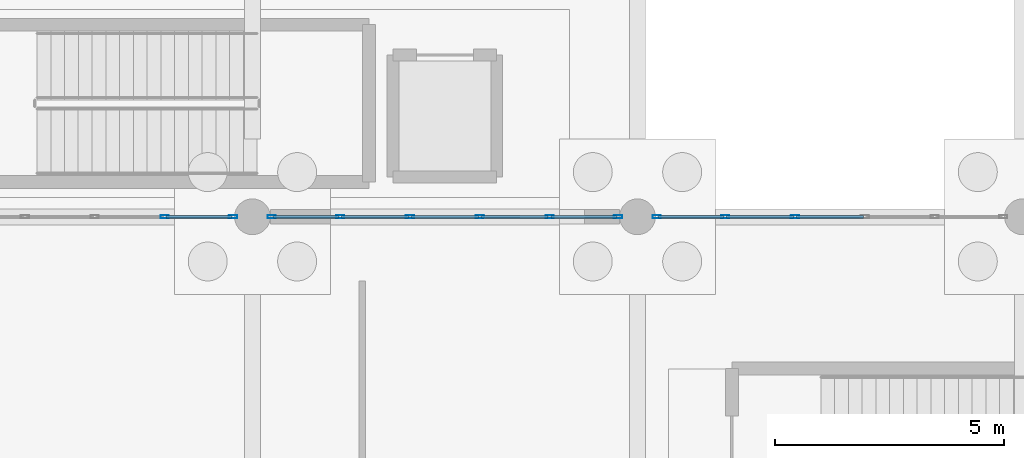
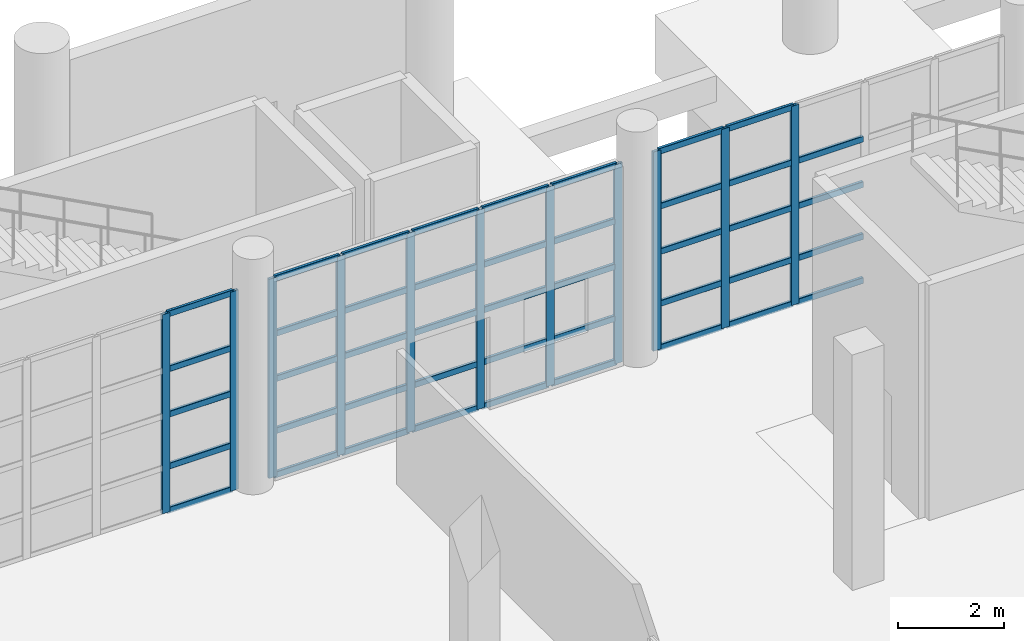
# One storey, part 35 of 83: 55 members, 3 elements without a shape of their own.
"""IFC4 building model written with IfcOpenShell, lengths in metres."""

import ifcopenshell
import ifcopenshell.guid

model = None  # the IFC model being written
_history = None  # IfcOwnerHistory: only IFC2X3 demands one
_inside = {}  # id of a spatial element -> (the spatial element, [elements in it])
_under = {}  # id of a project, library or spatial element -> (it, [spatial elements below it])
_declared = {}  # id of a project -> (the project, [libraries it declares])
_typed = {}  # id of a type object -> (the type object, [elements of that type])
_made_of = {}  # id of a material, layer set ... -> (it, [elements and type objects made of it])


def new_model(schema):
    """Start an empty IFC model of exactly this schema.

    Asked for "IFC4X3", IfcOpenShell would pick the latest addendum, in which some entities
    have other attributes; the version numbers below select the first issue.
    IFC2X3 requires an IfcOwnerHistory on every rooted entity: one is made here for all.
    """
    global model, _history
    if schema == "IFC4X3":
        model = ifcopenshell.file(schema_version=(4, 3, 0, 0))
    else:
        model = ifcopenshell.file(schema=schema)
    _inside.clear()
    _under.clear()
    _declared.clear()
    _typed.clear()
    _made_of.clear()
    _history = None
    if model.schema == "IFC2X3":
        org = make("IfcOrganization", Name="unknown")
        user = make(
            "IfcPersonAndOrganization",
            ThePerson=make("IfcPerson", FamilyName="unknown"),
            TheOrganization=org,
        )
        app = make(
            "IfcApplication",
            ApplicationDeveloper=org,
            Version="unknown",
            ApplicationFullName="unknown",
            ApplicationIdentifier="unknown",
        )
        _history = make(
            "IfcOwnerHistory",
            OwningUser=user,
            OwningApplication=app,
            ChangeAction="ADDED",
            CreationDate=0,
        )
    return model


def make(cls, **values):
    """One entity of the class cls with the attributes given. An attribute that is None is left unset."""
    return model.create_entity(
        cls, **{name: value for name, value in values.items() if value is not None}
    )


def rooted(cls, **values):
    """An entity with a GlobalId (a new one), such as an element, a storey or a relation."""
    return make(cls, GlobalId=ifcopenshell.guid.new(), OwnerHistory=_history, **values)


def si_unit(unit_type, name, prefix=None):
    """IfcSIUnit, for example si_unit("LENGTHUNIT", "METRE", prefix="MILLI")."""
    return make("IfcSIUnit", UnitType=unit_type, Prefix=prefix, Name=name)


def assignment(units):
    """IfcUnitAssignment: the units of a project."""
    return None if units is None else make("IfcUnitAssignment", Units=units)


def point(xyz):
    """IfcCartesianPoint."""
    return None if xyz is None else make("IfcCartesianPoint", Coordinates=xyz)


def direction(xyz):
    """IfcDirection."""
    return None if xyz is None else make("IfcDirection", DirectionRatios=xyz)


def frame(location, z_axis=None, x_axis=None):
    """IfcAxis2Placement3D, a coordinate frame: its origin and axes. An axis left out is left unset."""
    return make(
        "IfcAxis2Placement3D",
        Location=point(location),
        Axis=direction(z_axis),
        RefDirection=direction(x_axis),
    )


def frame_2d(location, x_axis=None):
    """IfcAxis2Placement2D, a coordinate frame in the plane: its origin and x axis."""
    return make(
        "IfcAxis2Placement2D", Location=point(location), RefDirection=direction(x_axis)
    )


def origin():
    """The frame at (0, 0, 0) with its axes left unset."""
    return frame((0.0, 0.0, 0.0))


def origin_2d():
    """The frame at (0, 0) in the plane with its x axis left unset."""
    return frame_2d((0.0, 0.0))


def place(relative_to, where):
    """IfcLocalPlacement: puts the frame where relative to a parent placement (None: the world)."""
    return make(
        "IfcLocalPlacement", PlacementRelTo=relative_to, RelativePlacement=where
    )


def context(
    kind, dimensions, precision=None, world=None, true_north=None, identifier=None
):
    """IfcGeometricRepresentationContext, for example the 3D "Model" context."""
    return make(
        "IfcGeometricRepresentationContext",
        ContextIdentifier=identifier,
        ContextType=kind,
        CoordinateSpaceDimension=dimensions,
        Precision=precision,
        WorldCoordinateSystem=world,
        TrueNorth=true_north,
    )


def subcontext(parent, identifier, kind, view, scale=None):
    """IfcGeometricRepresentationSubContext, for example "Body" below "Model"."""
    return make(
        "IfcGeometricRepresentationSubContext",
        ContextIdentifier=identifier,
        ContextType=kind,
        ParentContext=parent,
        TargetScale=scale,
        TargetView=view,
    )


def project(units=None, contexts=None):
    """IfcProject with its units and contexts."""
    return rooted(
        "IfcProject",
        Name="project",
        RepresentationContexts=contexts,
        UnitsInContext=assignment(units),
    )


def spatial(cls, under=None, at=None, **own):
    """A site, building, storey or space (cls), placed at a placement, below another one or the project."""
    s = rooted(cls, ObjectPlacement=at, **own)
    if under is not None:
        _under.setdefault(under.id(), (under, []))[1].append(s)
    return s


def profile(cls, at=None, kind="AREA", **sizes):
    """A parametric profile (cls). Its sizes go by their IFC names, for example OverallWidth=200.0."""
    return make(cls, ProfileType=kind, Position=at, **sizes)


def hollow_rectangle(**sizes):
    """IfcRectangleHollowProfileDef."""
    return profile("IfcRectangleHollowProfileDef", **sizes)


def extrude(swept, where, along, depth):
    """IfcExtrudedAreaSolid: the profile swept, set in the frame where, extruded along a direction by depth."""
    return make(
        "IfcExtrudedAreaSolid",
        SweptArea=swept,
        Position=where,
        ExtrudedDirection=direction(along),
        Depth=depth,
    )


def shape(context_of_items, identifier, shape_type, items):
    """IfcShapeRepresentation: the items that make up one representation, for example the "Body"."""
    return make(
        "IfcShapeRepresentation",
        ContextOfItems=context_of_items,
        RepresentationIdentifier=identifier,
        RepresentationType=shape_type,
        Items=items,
    )


def material(Name=None, Category=None):
    """IfcMaterial."""
    return make("IfcMaterial", Name=Name, Category=Category)


def layer(
    of_material, thickness, ventilated=None, Name=None, Category=None, Priority=None
):
    """IfcMaterialLayer: one layer of a wall or slab, of a material (None: an air gap)."""
    return make(
        "IfcMaterialLayer",
        Material=of_material,
        LayerThickness=thickness,
        IsVentilated=ventilated,
        Name=Name,
        Category=Category,
        Priority=Priority,
    )


def layer_set(layers, Name=None):
    """IfcMaterialLayerSet."""
    return make("IfcMaterialLayerSet", MaterialLayers=layers, LayerSetName=Name)


def material_profile(
    of_material, cross_section, Name=None, Category=None, Priority=None
):
    """IfcMaterialProfile: a cross section and its material."""
    return make(
        "IfcMaterialProfile",
        Name=Name,
        Material=of_material,
        Profile=cross_section,
        Priority=Priority,
        Category=Category,
    )


def profile_set(profiles, Name=None, composite=None):
    """IfcMaterialProfileSet."""
    return make(
        "IfcMaterialProfileSet",
        Name=Name,
        MaterialProfiles=profiles,
        CompositeProfile=composite,
    )


def made_of(thing, what):
    """Note that an element or type object is made of a material, layer set ...; save() writes the relation."""
    if what is not None:
        _made_of.setdefault(what.id(), (what, []))[1].append(thing)
    return thing


def type_object(cls, material=None, **own):
    """A type object (cls), such as IfcWallType, which elements share."""
    return made_of(rooted(cls, **own), material)


def element(
    cls,
    number,
    at=None,
    inside=None,
    cuts=None,
    type_object=None,
    material=None,
    context=None,
    identifier="Body",
    shape_type=None,
    held_by="IfcProductDefinitionShape",
    body=None,
    shapes=None,
    **own,
):
    """One element of the class cls, such as IfcWall. Its Tag is "e" and its number.

    at: its placement. inside: the storey or other place that contains it. cuts: it is an
    opening in that element (IfcRelVoidsElement). A single representation is given by context,
    identifier, shape_type and body (its items); several are given by shapes. held_by: the class
    of the entity that holds the representations. save() writes the other relations.
    """
    e = rooted(cls, Tag="e%d" % number, ObjectPlacement=at, **own)
    if body is not None:
        shapes = [shape(context, identifier, shape_type, body)]
    if shapes is not None:
        e.Representation = make(held_by, Representations=shapes)
    if inside is not None:
        _inside.setdefault(inside.id(), (inside, []))[1].append(e)
    if cuts is not None:
        rooted(
            "IfcRelVoidsElement", RelatingBuildingElement=cuts, RelatedOpeningElement=e
        )
    if type_object is not None:
        _typed.setdefault(type_object.id(), (type_object, []))[1].append(e)
    return made_of(e, material)


def aggregate(whole, parts):
    """IfcRelAggregates: a whole, such as a stair, and the parts it consists of."""
    return rooted("IfcRelAggregates", RelatingObject=whole, RelatedObjects=parts)


def save(model, path):
    """Write the relations noted so far, then the file.

    IfcRelAggregates (storeys below a building ...), IfcRelContainedInSpatialStructure (elements
    in a storey), IfcRelDefinesByType, IfcRelAssociatesMaterial and IfcRelDeclares: one each for
    every whole, place, type object, material and project.
    """
    for whole, parts in _under.values():
        aggregate(whole, parts)
    for where, things in _inside.values():
        rooted(
            "IfcRelContainedInSpatialStructure",
            RelatedElements=things,
            RelatingStructure=where,
        )
    for kind, things in _typed.values():
        rooted("IfcRelDefinesByType", RelatedObjects=things, RelatingType=kind)
    for what, things in _made_of.values():
        rooted("IfcRelAssociatesMaterial", RelatedObjects=things, RelatingMaterial=what)
    for by, libraries in _declared.values():
        rooted("IfcRelDeclares", RelatingContext=by, RelatedDefinitions=libraries)
    model.write(path)


model = new_model("IFC4")

# Units and contexts
model_context = context("Model", 3, precision=1e-05, world=origin(), true_north=direction((0.0, 1.0)))
body_context = subcontext(model_context, "Body", "Model", "MODEL_VIEW")
ifc_project = project(units=[si_unit("LENGTHUNIT", "METRE"), si_unit("AREAUNIT", "SQUARE_METRE"), si_unit("VOLUMEUNIT", "CUBIC_METRE"), si_unit("PLANEANGLEUNIT", "RADIAN"), si_unit("MASSUNIT", "GRAM", prefix="KILO"), si_unit("THERMODYNAMICTEMPERATUREUNIT", "KELVIN"), si_unit("POWERUNIT", "WATT")], contexts=[model_context])

# Site, building, storey
site_placement = place(None, origin())
site = spatial("IfcSite", under=ifc_project, at=site_placement, CompositionType="ELEMENT")
building_placement = place(site_placement, origin())
building = spatial("IfcBuilding", under=site, at=building_placement, Name="Mavoryth Pier Ferry Terminal", CompositionType="ELEMENT")
storey_placement = place(building_placement, origin())
storey = spatial("IfcBuildingStorey", under=building, at=storey_placement, Name="L00", CompositionType="ELEMENT", Elevation=0.0)

# Curtain wall, members
ifc_material_1 = material(Name="Anodised Aluminium and Solar-Control Low-E Glass", Category="aluminium")
ifc_layer = layer(ifc_material_1, 0.159912109375, Name="Anodised Aluminium and Solar-Control Low-E Glass", Category="aluminium")
ifc_layer_set = layer_set([ifc_layer], Name="Anodised Aluminium and Solar-Control Low-E Glass - CW-Arrivals-Mod1400")
curtain_wall_type = type_object("IfcCurtainWallType", Name="CW-Arrivals-Mod1400", PredefinedType="USERDEFINED", material=ifc_layer_set)
curtain_wall_1_placement = place(storey_placement, origin())
curtain_wall_1 = element("IfcCurtainWall", 1, at=curtain_wall_1_placement, inside=storey, type_object=curtain_wall_type, Name="Curtain Wall CW-0033-054", ObjectType="UNITISED CURTAIN WALL", PredefinedType="USERDEFINED")
ifc_material_2 = material(Name="Anodised Aluminium EN AW-6063", Category="aluminium")
ifc_material_profile_1 = material_profile(ifc_material_2, hollow_rectangle(XDim=0.06494140625, YDim=0.179931640625, WallThickness=0.00390625, InnerFilletRadius=0.00390625, OuterFilletRadius=0.008056640625, at=origin_2d()), Name="AL-MULL 180x65x4", Category="aluminium")
ifc_profile_set_1 = profile_set([ifc_material_profile_1], Name="Anodised Aluminium EN AW-6063 - AL-MULL 180x65x4")
member_type_1 = type_object("IfcMemberType", Name="Mullion-Alum-180x65", PredefinedType="MULLION", material=ifc_profile_set_1)
member_1_placement = place(storey_placement, frame((66.777587890625, 106.0, 0.0), z_axis=(0.0, 0.0, 1.0), x_axis=(0.0, -1.0, 0.0)))
member_1 = element("IfcMember", 2, at=member_1_placement, type_object=member_type_1, Name="CW04 mullion 1", PredefinedType="MULLION", context=body_context, shape_type="SweptSolid", body=[
    extrude(hollow_rectangle(XDim=0.06494140625, YDim=0.179931640625, WallThickness=0.00390625, InnerFilletRadius=0.00390625, OuterFilletRadius=0.008056640625, at=origin_2d()), origin(), (0.0, 0.0, 1.0), 4.60498046875),
])
member_2_placement = place(storey_placement, frame((65.285888671875, 106.0, 0.0), z_axis=(0.0, 0.0, 1.0), x_axis=(0.0, -1.0, 0.0)))
member_2 = element("IfcMember", 3, at=member_2_placement, type_object=member_type_1, Name="CW04 mullion 2", PredefinedType="MULLION", context=body_context, shape_type="SweptSolid", body=[
    extrude(hollow_rectangle(XDim=0.06494140625, YDim=0.179931640625, WallThickness=0.00390625, InnerFilletRadius=0.00390625, OuterFilletRadius=0.008056640625, at=origin_2d()), origin(), (0.0, 0.0, 1.0), 4.60498046875),
])

curtain_wall_2_placement = place(storey_placement, origin())
curtain_wall_2 = element("IfcCurtainWall", 4, at=curtain_wall_2_placement, inside=storey, type_object=curtain_wall_type, Name="Curtain Wall CW-0033-057", ObjectType="UNITISED CURTAIN WALL", PredefinedType="USERDEFINED")
member_3_placement = place(storey_placement, frame((75.177490234375, 106.0, 0.0), z_axis=(0.0, 0.0, 1.0), x_axis=(0.0, -1.0, 0.0)))
member_3 = element("IfcMember", 5, at=member_3_placement, type_object=member_type_1, Name="CW04 mullion 1", PredefinedType="MULLION", context=body_context, shape_type="SweptSolid", body=[
    extrude(hollow_rectangle(XDim=0.06494140625, YDim=0.179931640625, WallThickness=0.00390625, InnerFilletRadius=0.00390625, OuterFilletRadius=0.008056640625, at=origin_2d()), origin(), (0.0, 0.0, 1.0), 4.60498046875),
])
member_4_placement = place(storey_placement, frame((73.68603515625, 106.0, 0.0), z_axis=(0.0, 0.0, 1.0), x_axis=(0.0, -1.0, 0.0)))
member_4 = element("IfcMember", 6, at=member_4_placement, type_object=member_type_1, Name="CW04 mullion 2", PredefinedType="MULLION", context=body_context, shape_type="SweptSolid", body=[
    extrude(hollow_rectangle(XDim=0.06494140625, YDim=0.179931640625, WallThickness=0.00390625, InnerFilletRadius=0.00390625, OuterFilletRadius=0.008056640625, at=origin_2d()), origin(), (0.0, 0.0, 1.0), 4.60498046875),
])
member_5_placement = place(storey_placement, frame((72.162109375, 106.0, 0.0), z_axis=(0.0, 0.0, 1.0), x_axis=(0.0, -1.0, 0.0)))
member_5 = element("IfcMember", 7, at=member_5_placement, type_object=member_type_1, Name="CW04 mullion 3", PredefinedType="MULLION", context=body_context, shape_type="SweptSolid", body=[
    extrude(hollow_rectangle(XDim=0.06494140625, YDim=0.179931640625, WallThickness=0.00390625, InnerFilletRadius=0.00390625, OuterFilletRadius=0.008056640625, at=origin_2d()), origin(), (0.0, 0.0, 1.0), 4.60498046875),
])
member_6_placement = place(storey_placement, frame((70.637939453125, 106.0, 0.0), z_axis=(0.0, 0.0, 1.0), x_axis=(0.0, -1.0, 0.0)))
member_6 = element("IfcMember", 8, at=member_6_placement, type_object=member_type_1, Name="CW04 mullion 4", PredefinedType="MULLION", context=body_context, shape_type="SweptSolid", body=[
    extrude(hollow_rectangle(XDim=0.06494140625, YDim=0.179931640625, WallThickness=0.00390625, InnerFilletRadius=0.00390625, OuterFilletRadius=0.008056640625, at=origin_2d()), origin(), (0.0, 0.0, 1.0), 4.60498046875),
])
member_7_placement = place(storey_placement, frame((69.114013671875, 106.0, 0.0), z_axis=(0.0, 0.0, 1.0), x_axis=(0.0, -1.0, 0.0)))
member_7 = element("IfcMember", 9, at=member_7_placement, type_object=member_type_1, Name="CW04 mullion 5", PredefinedType="MULLION", context=body_context, shape_type="SweptSolid", body=[
    extrude(hollow_rectangle(XDim=0.06494140625, YDim=0.179931640625, WallThickness=0.00390625, InnerFilletRadius=0.00390625, OuterFilletRadius=0.008056640625, at=origin_2d()), origin(), (0.0, 0.0, 1.0), 4.60498046875),
])
member_8_placement = place(storey_placement, frame((67.62255859375, 106.0, 0.0), z_axis=(0.0, 0.0, 1.0), x_axis=(0.0, -1.0, 0.0)))
member_8 = element("IfcMember", 10, at=member_8_placement, type_object=member_type_1, Name="CW04 mullion 6", PredefinedType="MULLION", context=body_context, shape_type="SweptSolid", body=[
    extrude(hollow_rectangle(XDim=0.06494140625, YDim=0.179931640625, WallThickness=0.00390625, InnerFilletRadius=0.00390625, OuterFilletRadius=0.008056640625, at=origin_2d()), origin(), (0.0, 0.0, 1.0), 4.60498046875),
])

curtain_wall_3_placement = place(storey_placement, origin())
curtain_wall_3 = element("IfcCurtainWall", 11, at=curtain_wall_3_placement, inside=storey, type_object=curtain_wall_type, Name="Curtain Wall CW-0033-060", ObjectType="UNITISED CURTAIN WALL", PredefinedType="USERDEFINED")
member_9_placement = place(storey_placement, frame((79.0380859375, 106.0, 0.0), z_axis=(0.0, 0.0, 1.0), x_axis=(0.0, -1.0, 0.0)))
member_9 = element("IfcMember", 12, at=member_9_placement, type_object=member_type_1, Name="CW04 mullion 4", PredefinedType="MULLION", context=body_context, shape_type="SweptSolid", body=[
    extrude(hollow_rectangle(XDim=0.06494140625, YDim=0.179931640625, WallThickness=0.00390625, InnerFilletRadius=0.00390625, OuterFilletRadius=0.008056640625, at=origin_2d()), origin(), (0.0, 0.0, 1.0), 4.60498046875),
])
member_10_placement = place(storey_placement, frame((77.513916015625, 106.0, 0.0), z_axis=(0.0, 0.0, 1.0), x_axis=(0.0, -1.0, 0.0)))
member_10 = element("IfcMember", 13, at=member_10_placement, type_object=member_type_1, Name="CW04 mullion 5", PredefinedType="MULLION", context=body_context, shape_type="SweptSolid", body=[
    extrude(hollow_rectangle(XDim=0.06494140625, YDim=0.179931640625, WallThickness=0.00390625, InnerFilletRadius=0.00390625, OuterFilletRadius=0.008056640625, at=origin_2d()), origin(), (0.0, 0.0, 1.0), 4.60498046875),
])
member_11_placement = place(storey_placement, frame((76.0224609375, 106.0, 0.0), z_axis=(0.0, 0.0, 1.0), x_axis=(0.0, -1.0, 0.0)))
member_11 = element("IfcMember", 14, at=member_11_placement, type_object=member_type_1, Name="CW04 mullion 6", PredefinedType="MULLION", context=body_context, shape_type="SweptSolid", body=[
    extrude(hollow_rectangle(XDim=0.06494140625, YDim=0.179931640625, WallThickness=0.00390625, InnerFilletRadius=0.00390625, OuterFilletRadius=0.008056640625, at=origin_2d()), origin(), (0.0, 0.0, 1.0), 4.60498046875),
])

# Member
ifc_material_profile_2 = material_profile(ifc_material_2, hollow_rectangle(XDim=0.06494140625, YDim=0.139892578125, WallThickness=0.00390625, InnerFilletRadius=0.00390625, OuterFilletRadius=0.008056640625, at=origin_2d()), Name="AL-TRAN 140x65x4", Category="aluminium")
ifc_profile_set_2 = profile_set([ifc_material_profile_2], Name="Anodised Aluminium EN AW-6063 - AL-TRAN 140x65x4")
member_type_2 = type_object("IfcMemberType", Name="Transom-Alum-140x65", PredefinedType="USERDEFINED", material=ifc_profile_set_2)
member_12_placement = place(storey_placement, frame((66.7451171875, 106.0, 0.032470703125), z_axis=(-1.0, 0.0, 0.0), x_axis=(0.0, -1.0, 0.0)))
member_12 = element("IfcMember", 15, at=member_12_placement, type_object=member_type_2, Name="CW04 transom 1.1", ObjectType="TRANSOM", PredefinedType="USERDEFINED", context=body_context, shape_type="SweptSolid", body=[
    extrude(hollow_rectangle(XDim=0.06494140625, YDim=0.139892578125, WallThickness=0.00390625, InnerFilletRadius=0.00390625, OuterFilletRadius=0.008056640625, at=origin_2d()), origin(), (0.0, 0.0, 1.0), 1.426513671875),
])

member_13_placement = place(storey_placement, frame((66.7451171875, 106.0, 1.050048828125), z_axis=(-1.0, 0.0, 0.0), x_axis=(0.0, -1.0, 0.0)))
member_13 = element("IfcMember", 16, at=member_13_placement, type_object=member_type_2, Name="CW04 transom 1.2", ObjectType="TRANSOM", PredefinedType="USERDEFINED", context=body_context, shape_type="SweptSolid", body=[
    extrude(hollow_rectangle(XDim=0.06494140625, YDim=0.139892578125, WallThickness=0.00390625, InnerFilletRadius=0.00390625, OuterFilletRadius=0.008056640625, at=origin_2d()), origin(), (0.0, 0.0, 1.0), 1.426513671875),
])

member_14_placement = place(storey_placement, frame((66.7451171875, 106.0, 2.25), z_axis=(-1.0, 0.0, 0.0), x_axis=(0.0, -1.0, 0.0)))
member_14 = element("IfcMember", 17, at=member_14_placement, type_object=member_type_2, Name="CW04 transom 1.3", ObjectType="TRANSOM", PredefinedType="USERDEFINED", context=body_context, shape_type="SweptSolid", body=[
    extrude(hollow_rectangle(XDim=0.06494140625, YDim=0.139892578125, WallThickness=0.00390625, InnerFilletRadius=0.00390625, OuterFilletRadius=0.008056640625, at=origin_2d()), origin(), (0.0, 0.0, 1.0), 1.426513671875),
])

member_15_placement = place(storey_placement, frame((66.7451171875, 106.0, 3.300048828125), z_axis=(-1.0, 0.0, 0.0), x_axis=(0.0, -1.0, 0.0)))
member_15 = element("IfcMember", 18, at=member_15_placement, type_object=member_type_2, Name="CW04 transom 1.4", ObjectType="TRANSOM", PredefinedType="USERDEFINED", context=body_context, shape_type="SweptSolid", body=[
    extrude(hollow_rectangle(XDim=0.06494140625, YDim=0.139892578125, WallThickness=0.00390625, InnerFilletRadius=0.00390625, OuterFilletRadius=0.008056640625, at=origin_2d()), origin(), (0.0, 0.0, 1.0), 1.426513671875),
])

member_16_placement = place(storey_placement, frame((66.7451171875, 106.0, 4.572509765625), z_axis=(-1.0, 0.0, 0.0), x_axis=(0.0, -1.0, 0.0)))
member_16 = element("IfcMember", 19, at=member_16_placement, type_object=member_type_2, Name="CW04 transom 1.5", ObjectType="TRANSOM", PredefinedType="USERDEFINED", context=body_context, shape_type="SweptSolid", body=[
    extrude(hollow_rectangle(XDim=0.06494140625, YDim=0.139892578125, WallThickness=0.00390625, InnerFilletRadius=0.00390625, OuterFilletRadius=0.008056640625, at=origin_2d()), origin(), (0.0, 0.0, 1.0), 1.426513671875),
])

aggregate(curtain_wall_1, [member_1, member_2, member_12, member_13, member_14, member_15, member_16])

member_17_placement = place(storey_placement, frame((75.14501953125, 106.0, 0.032470703125), z_axis=(-1.0, 0.0, 0.0), x_axis=(0.0, -1.0, 0.0)))
member_17 = element("IfcMember", 20, at=member_17_placement, type_object=member_type_2, Name="CW04 transom 1.1", ObjectType="TRANSOM", PredefinedType="USERDEFINED", context=body_context, shape_type="SweptSolid", body=[
    extrude(hollow_rectangle(XDim=0.06494140625, YDim=0.139892578125, WallThickness=0.00390625, InnerFilletRadius=0.00390625, OuterFilletRadius=0.008056640625, at=origin_2d()), origin(), (0.0, 0.0, 1.0), 1.426513671875),
])

member_18_placement = place(storey_placement, frame((75.14501953125, 106.0, 1.050048828125), z_axis=(-1.0, 0.0, 0.0), x_axis=(0.0, -1.0, 0.0)))
member_18 = element("IfcMember", 21, at=member_18_placement, type_object=member_type_2, Name="CW04 transom 1.2", ObjectType="TRANSOM", PredefinedType="USERDEFINED", context=body_context, shape_type="SweptSolid", body=[
    extrude(hollow_rectangle(XDim=0.06494140625, YDim=0.139892578125, WallThickness=0.00390625, InnerFilletRadius=0.00390625, OuterFilletRadius=0.008056640625, at=origin_2d()), origin(), (0.0, 0.0, 1.0), 1.426513671875),
])

member_19_placement = place(storey_placement, frame((75.14501953125, 106.0, 2.25), z_axis=(-1.0, 0.0, 0.0), x_axis=(0.0, -1.0, 0.0)))
member_19 = element("IfcMember", 22, at=member_19_placement, type_object=member_type_2, Name="CW04 transom 1.3", ObjectType="TRANSOM", PredefinedType="USERDEFINED", context=body_context, shape_type="SweptSolid", body=[
    extrude(hollow_rectangle(XDim=0.06494140625, YDim=0.139892578125, WallThickness=0.00390625, InnerFilletRadius=0.00390625, OuterFilletRadius=0.008056640625, at=origin_2d()), origin(), (0.0, 0.0, 1.0), 1.426513671875),
])

member_20_placement = place(storey_placement, frame((75.14501953125, 106.0, 3.300048828125), z_axis=(-1.0, 0.0, 0.0), x_axis=(0.0, -1.0, 0.0)))
member_20 = element("IfcMember", 23, at=member_20_placement, type_object=member_type_2, Name="CW04 transom 1.4", ObjectType="TRANSOM", PredefinedType="USERDEFINED", context=body_context, shape_type="SweptSolid", body=[
    extrude(hollow_rectangle(XDim=0.06494140625, YDim=0.139892578125, WallThickness=0.00390625, InnerFilletRadius=0.00390625, OuterFilletRadius=0.008056640625, at=origin_2d()), origin(), (0.0, 0.0, 1.0), 1.426513671875),
])

member_21_placement = place(storey_placement, frame((75.14501953125, 106.0, 4.572509765625), z_axis=(-1.0, 0.0, 0.0), x_axis=(0.0, -1.0, 0.0)))
member_21 = element("IfcMember", 24, at=member_21_placement, type_object=member_type_2, Name="CW04 transom 1.5", ObjectType="TRANSOM", PredefinedType="USERDEFINED", context=body_context, shape_type="SweptSolid", body=[
    extrude(hollow_rectangle(XDim=0.06494140625, YDim=0.139892578125, WallThickness=0.00390625, InnerFilletRadius=0.00390625, OuterFilletRadius=0.008056640625, at=origin_2d()), origin(), (0.0, 0.0, 1.0), 1.426513671875),
])

member_22_placement = place(storey_placement, frame((73.653564453125, 106.0, 0.032470703125), z_axis=(-1.0, 0.0, 0.0), x_axis=(0.0, -1.0, 0.0)))
member_22 = element("IfcMember", 25, at=member_22_placement, type_object=member_type_2, Name="CW04 transom 2.1", ObjectType="TRANSOM", PredefinedType="USERDEFINED", context=body_context, shape_type="SweptSolid", body=[
    extrude(hollow_rectangle(XDim=0.06494140625, YDim=0.139892578125, WallThickness=0.00390625, InnerFilletRadius=0.00390625, OuterFilletRadius=0.008056640625, at=origin_2d()), origin(), (0.0, 0.0, 1.0), 1.458984375),
])

member_23_placement = place(storey_placement, frame((73.653564453125, 106.0, 1.050048828125), z_axis=(-1.0, 0.0, 0.0), x_axis=(0.0, -1.0, 0.0)))
member_23 = element("IfcMember", 26, at=member_23_placement, type_object=member_type_2, Name="CW04 transom 2.2", ObjectType="TRANSOM", PredefinedType="USERDEFINED", context=body_context, shape_type="SweptSolid", body=[
    extrude(hollow_rectangle(XDim=0.06494140625, YDim=0.139892578125, WallThickness=0.00390625, InnerFilletRadius=0.00390625, OuterFilletRadius=0.008056640625, at=origin_2d()), origin(), (0.0, 0.0, 1.0), 1.458984375),
])

member_24_placement = place(storey_placement, frame((73.653564453125, 106.0, 2.25), z_axis=(-1.0, 0.0, 0.0), x_axis=(0.0, -1.0, 0.0)))
member_24 = element("IfcMember", 27, at=member_24_placement, type_object=member_type_2, Name="CW04 transom 2.3", ObjectType="TRANSOM", PredefinedType="USERDEFINED", context=body_context, shape_type="SweptSolid", body=[
    extrude(hollow_rectangle(XDim=0.06494140625, YDim=0.139892578125, WallThickness=0.00390625, InnerFilletRadius=0.00390625, OuterFilletRadius=0.008056640625, at=origin_2d()), origin(), (0.0, 0.0, 1.0), 1.458984375),
])

member_25_placement = place(storey_placement, frame((73.653564453125, 106.0, 3.300048828125), z_axis=(-1.0, 0.0, 0.0), x_axis=(0.0, -1.0, 0.0)))
member_25 = element("IfcMember", 28, at=member_25_placement, type_object=member_type_2, Name="CW04 transom 2.4", ObjectType="TRANSOM", PredefinedType="USERDEFINED", context=body_context, shape_type="SweptSolid", body=[
    extrude(hollow_rectangle(XDim=0.06494140625, YDim=0.139892578125, WallThickness=0.00390625, InnerFilletRadius=0.00390625, OuterFilletRadius=0.008056640625, at=origin_2d()), origin(), (0.0, 0.0, 1.0), 1.458984375),
])

member_26_placement = place(storey_placement, frame((73.653564453125, 106.0, 4.572509765625), z_axis=(-1.0, 0.0, 0.0), x_axis=(0.0, -1.0, 0.0)))
member_26 = element("IfcMember", 29, at=member_26_placement, type_object=member_type_2, Name="CW04 transom 2.5", ObjectType="TRANSOM", PredefinedType="USERDEFINED", context=body_context, shape_type="SweptSolid", body=[
    extrude(hollow_rectangle(XDim=0.06494140625, YDim=0.139892578125, WallThickness=0.00390625, InnerFilletRadius=0.00390625, OuterFilletRadius=0.008056640625, at=origin_2d()), origin(), (0.0, 0.0, 1.0), 1.458984375),
])

member_27_placement = place(storey_placement, frame((72.12939453125, 106.0, 0.032470703125), z_axis=(-1.0, 0.0, 0.0), x_axis=(0.0, -1.0, 0.0)))
member_27 = element("IfcMember", 30, at=member_27_placement, type_object=member_type_2, Name="CW04 transom 3.1", ObjectType="TRANSOM", PredefinedType="USERDEFINED", context=body_context, shape_type="SweptSolid", body=[
    extrude(hollow_rectangle(XDim=0.06494140625, YDim=0.139892578125, WallThickness=0.00390625, InnerFilletRadius=0.00390625, OuterFilletRadius=0.008056640625, at=origin_2d()), origin(), (0.0, 0.0, 1.0), 1.458984375),
])

member_28_placement = place(storey_placement, frame((72.12939453125, 106.0, 1.050048828125), z_axis=(-1.0, 0.0, 0.0), x_axis=(0.0, -1.0, 0.0)))
member_28 = element("IfcMember", 31, at=member_28_placement, type_object=member_type_2, Name="CW04 transom 3.2", ObjectType="TRANSOM", PredefinedType="USERDEFINED", context=body_context, shape_type="SweptSolid", body=[
    extrude(hollow_rectangle(XDim=0.06494140625, YDim=0.139892578125, WallThickness=0.00390625, InnerFilletRadius=0.00390625, OuterFilletRadius=0.008056640625, at=origin_2d()), origin(), (0.0, 0.0, 1.0), 1.458984375),
])

member_29_placement = place(storey_placement, frame((72.12939453125, 106.0, 2.25), z_axis=(-1.0, 0.0, 0.0), x_axis=(0.0, -1.0, 0.0)))
member_29 = element("IfcMember", 32, at=member_29_placement, type_object=member_type_2, Name="CW04 transom 3.3", ObjectType="TRANSOM", PredefinedType="USERDEFINED", context=body_context, shape_type="SweptSolid", body=[
    extrude(hollow_rectangle(XDim=0.06494140625, YDim=0.139892578125, WallThickness=0.00390625, InnerFilletRadius=0.00390625, OuterFilletRadius=0.008056640625, at=origin_2d()), origin(), (0.0, 0.0, 1.0), 1.458984375),
])

member_30_placement = place(storey_placement, frame((72.12939453125, 106.0, 3.300048828125), z_axis=(-1.0, 0.0, 0.0), x_axis=(0.0, -1.0, 0.0)))
member_30 = element("IfcMember", 33, at=member_30_placement, type_object=member_type_2, Name="CW04 transom 3.4", ObjectType="TRANSOM", PredefinedType="USERDEFINED", context=body_context, shape_type="SweptSolid", body=[
    extrude(hollow_rectangle(XDim=0.06494140625, YDim=0.139892578125, WallThickness=0.00390625, InnerFilletRadius=0.00390625, OuterFilletRadius=0.008056640625, at=origin_2d()), origin(), (0.0, 0.0, 1.0), 1.458984375),
])

member_31_placement = place(storey_placement, frame((72.12939453125, 106.0, 4.572509765625), z_axis=(-1.0, 0.0, 0.0), x_axis=(0.0, -1.0, 0.0)))
member_31 = element("IfcMember", 34, at=member_31_placement, type_object=member_type_2, Name="CW04 transom 3.5", ObjectType="TRANSOM", PredefinedType="USERDEFINED", context=body_context, shape_type="SweptSolid", body=[
    extrude(hollow_rectangle(XDim=0.06494140625, YDim=0.139892578125, WallThickness=0.00390625, InnerFilletRadius=0.00390625, OuterFilletRadius=0.008056640625, at=origin_2d()), origin(), (0.0, 0.0, 1.0), 1.458984375),
])

member_32_placement = place(storey_placement, frame((70.60546875, 106.0, 0.032470703125), z_axis=(-1.0, 0.0, 0.0), x_axis=(0.0, -1.0, 0.0)))
member_32 = element("IfcMember", 35, at=member_32_placement, type_object=member_type_2, Name="CW04 transom 4.1", ObjectType="TRANSOM", PredefinedType="USERDEFINED", context=body_context, shape_type="SweptSolid", body=[
    extrude(hollow_rectangle(XDim=0.06494140625, YDim=0.139892578125, WallThickness=0.00390625, InnerFilletRadius=0.00390625, OuterFilletRadius=0.008056640625, at=origin_2d()), origin(), (0.0, 0.0, 1.0), 1.458984375),
])

member_33_placement = place(storey_placement, frame((70.60546875, 106.0, 1.050048828125), z_axis=(-1.0, 0.0, 0.0), x_axis=(0.0, -1.0, 0.0)))
member_33 = element("IfcMember", 36, at=member_33_placement, type_object=member_type_2, Name="CW04 transom 4.2", ObjectType="TRANSOM", PredefinedType="USERDEFINED", context=body_context, shape_type="SweptSolid", body=[
    extrude(hollow_rectangle(XDim=0.06494140625, YDim=0.139892578125, WallThickness=0.00390625, InnerFilletRadius=0.00390625, OuterFilletRadius=0.008056640625, at=origin_2d()), origin(), (0.0, 0.0, 1.0), 1.458984375),
])

member_34_placement = place(storey_placement, frame((70.60546875, 106.0, 2.25), z_axis=(-1.0, 0.0, 0.0), x_axis=(0.0, -1.0, 0.0)))
member_34 = element("IfcMember", 37, at=member_34_placement, type_object=member_type_2, Name="CW04 transom 4.3", ObjectType="TRANSOM", PredefinedType="USERDEFINED", context=body_context, shape_type="SweptSolid", body=[
    extrude(hollow_rectangle(XDim=0.06494140625, YDim=0.139892578125, WallThickness=0.00390625, InnerFilletRadius=0.00390625, OuterFilletRadius=0.008056640625, at=origin_2d()), origin(), (0.0, 0.0, 1.0), 1.458984375),
])

member_35_placement = place(storey_placement, frame((70.60546875, 106.0, 3.300048828125), z_axis=(-1.0, 0.0, 0.0), x_axis=(0.0, -1.0, 0.0)))
member_35 = element("IfcMember", 38, at=member_35_placement, type_object=member_type_2, Name="CW04 transom 4.4", ObjectType="TRANSOM", PredefinedType="USERDEFINED", context=body_context, shape_type="SweptSolid", body=[
    extrude(hollow_rectangle(XDim=0.06494140625, YDim=0.139892578125, WallThickness=0.00390625, InnerFilletRadius=0.00390625, OuterFilletRadius=0.008056640625, at=origin_2d()), origin(), (0.0, 0.0, 1.0), 1.458984375),
])

member_36_placement = place(storey_placement, frame((70.60546875, 106.0, 4.572509765625), z_axis=(-1.0, 0.0, 0.0), x_axis=(0.0, -1.0, 0.0)))
member_36 = element("IfcMember", 39, at=member_36_placement, type_object=member_type_2, Name="CW04 transom 4.5", ObjectType="TRANSOM", PredefinedType="USERDEFINED", context=body_context, shape_type="SweptSolid", body=[
    extrude(hollow_rectangle(XDim=0.06494140625, YDim=0.139892578125, WallThickness=0.00390625, InnerFilletRadius=0.00390625, OuterFilletRadius=0.008056640625, at=origin_2d()), origin(), (0.0, 0.0, 1.0), 1.458984375),
])

member_37_placement = place(storey_placement, frame((69.08154296875, 106.0, 0.032470703125), z_axis=(-1.0, 0.0, 0.0), x_axis=(0.0, -1.0, 0.0)))
member_37 = element("IfcMember", 40, at=member_37_placement, type_object=member_type_2, Name="CW04 transom 5.1", ObjectType="TRANSOM", PredefinedType="USERDEFINED", context=body_context, shape_type="SweptSolid", body=[
    extrude(hollow_rectangle(XDim=0.06494140625, YDim=0.139892578125, WallThickness=0.00390625, InnerFilletRadius=0.00390625, OuterFilletRadius=0.008056640625, at=origin_2d()), origin(), (0.0, 0.0, 1.0), 1.426513671875),
])

member_38_placement = place(storey_placement, frame((69.08154296875, 106.0, 1.050048828125), z_axis=(-1.0, 0.0, 0.0), x_axis=(0.0, -1.0, 0.0)))
member_38 = element("IfcMember", 41, at=member_38_placement, type_object=member_type_2, Name="CW04 transom 5.2", ObjectType="TRANSOM", PredefinedType="USERDEFINED", context=body_context, shape_type="SweptSolid", body=[
    extrude(hollow_rectangle(XDim=0.06494140625, YDim=0.139892578125, WallThickness=0.00390625, InnerFilletRadius=0.00390625, OuterFilletRadius=0.008056640625, at=origin_2d()), origin(), (0.0, 0.0, 1.0), 1.426513671875),
])

member_39_placement = place(storey_placement, frame((69.08154296875, 106.0, 2.25), z_axis=(-1.0, 0.0, 0.0), x_axis=(0.0, -1.0, 0.0)))
member_39 = element("IfcMember", 42, at=member_39_placement, type_object=member_type_2, Name="CW04 transom 5.3", ObjectType="TRANSOM", PredefinedType="USERDEFINED", context=body_context, shape_type="SweptSolid", body=[
    extrude(hollow_rectangle(XDim=0.06494140625, YDim=0.139892578125, WallThickness=0.00390625, InnerFilletRadius=0.00390625, OuterFilletRadius=0.008056640625, at=origin_2d()), origin(), (0.0, 0.0, 1.0), 1.426513671875),
])

member_40_placement = place(storey_placement, frame((69.08154296875, 106.0, 3.300048828125), z_axis=(-1.0, 0.0, 0.0), x_axis=(0.0, -1.0, 0.0)))
member_40 = element("IfcMember", 43, at=member_40_placement, type_object=member_type_2, Name="CW04 transom 5.4", ObjectType="TRANSOM", PredefinedType="USERDEFINED", context=body_context, shape_type="SweptSolid", body=[
    extrude(hollow_rectangle(XDim=0.06494140625, YDim=0.139892578125, WallThickness=0.00390625, InnerFilletRadius=0.00390625, OuterFilletRadius=0.008056640625, at=origin_2d()), origin(), (0.0, 0.0, 1.0), 1.426513671875),
])

member_41_placement = place(storey_placement, frame((69.08154296875, 106.0, 4.572509765625), z_axis=(-1.0, 0.0, 0.0), x_axis=(0.0, -1.0, 0.0)))
member_41 = element("IfcMember", 44, at=member_41_placement, type_object=member_type_2, Name="CW04 transom 5.5", ObjectType="TRANSOM", PredefinedType="USERDEFINED", context=body_context, shape_type="SweptSolid", body=[
    extrude(hollow_rectangle(XDim=0.06494140625, YDim=0.139892578125, WallThickness=0.00390625, InnerFilletRadius=0.00390625, OuterFilletRadius=0.008056640625, at=origin_2d()), origin(), (0.0, 0.0, 1.0), 1.426513671875),
])

aggregate(curtain_wall_2, [member_3, member_4, member_5, member_6, member_7, member_8, member_17, member_18, member_19, member_20, member_21, member_22, member_23, member_24, member_25, member_26, member_27, member_28, member_29, member_30, member_31, member_32, member_33, member_34, member_35, member_36, member_37, member_38, member_39, member_40, member_41])

member_42_placement = place(storey_placement, frame((80.529541015625, 106.0, 0.032470703125), z_axis=(-1.0, 0.0, 0.0), x_axis=(0.0, -1.0, 0.0)))
member_42 = element("IfcMember", 45, at=member_42_placement, type_object=member_type_2, Name="CW04 transom 3.1", ObjectType="TRANSOM", PredefinedType="USERDEFINED", context=body_context, shape_type="SweptSolid", body=[
    extrude(hollow_rectangle(XDim=0.06494140625, YDim=0.139892578125, WallThickness=0.00390625, InnerFilletRadius=0.00390625, OuterFilletRadius=0.008056640625, at=origin_2d()), origin(), (0.0, 0.0, 1.0), 1.458984375),
])

member_43_placement = place(storey_placement, frame((80.529541015625, 106.0, 1.050048828125), z_axis=(-1.0, 0.0, 0.0), x_axis=(0.0, -1.0, 0.0)))
member_43 = element("IfcMember", 46, at=member_43_placement, type_object=member_type_2, Name="CW04 transom 3.2", ObjectType="TRANSOM", PredefinedType="USERDEFINED", context=body_context, shape_type="SweptSolid", body=[
    extrude(hollow_rectangle(XDim=0.06494140625, YDim=0.139892578125, WallThickness=0.00390625, InnerFilletRadius=0.00390625, OuterFilletRadius=0.008056640625, at=origin_2d()), origin(), (0.0, 0.0, 1.0), 1.458984375),
])

member_44_placement = place(storey_placement, frame((80.529541015625, 106.0, 2.25), z_axis=(-1.0, 0.0, 0.0), x_axis=(0.0, -1.0, 0.0)))
member_44 = element("IfcMember", 47, at=member_44_placement, type_object=member_type_2, Name="CW04 transom 3.3", ObjectType="TRANSOM", PredefinedType="USERDEFINED", context=body_context, shape_type="SweptSolid", body=[
    extrude(hollow_rectangle(XDim=0.06494140625, YDim=0.139892578125, WallThickness=0.00390625, InnerFilletRadius=0.00390625, OuterFilletRadius=0.008056640625, at=origin_2d()), origin(), (0.0, 0.0, 1.0), 1.458984375),
])

member_45_placement = place(storey_placement, frame((80.529541015625, 106.0, 3.300048828125), z_axis=(-1.0, 0.0, 0.0), x_axis=(0.0, -1.0, 0.0)))
member_45 = element("IfcMember", 48, at=member_45_placement, type_object=member_type_2, Name="CW04 transom 3.4", ObjectType="TRANSOM", PredefinedType="USERDEFINED", context=body_context, shape_type="SweptSolid", body=[
    extrude(hollow_rectangle(XDim=0.06494140625, YDim=0.139892578125, WallThickness=0.00390625, InnerFilletRadius=0.00390625, OuterFilletRadius=0.008056640625, at=origin_2d()), origin(), (0.0, 0.0, 1.0), 1.458984375),
])

member_46_placement = place(storey_placement, frame((79.005615234375, 106.0, 0.032470703125), z_axis=(-1.0, 0.0, 0.0), x_axis=(0.0, -1.0, 0.0)))
member_46 = element("IfcMember", 49, at=member_46_placement, type_object=member_type_2, Name="CW04 transom 4.1", ObjectType="TRANSOM", PredefinedType="USERDEFINED", context=body_context, shape_type="SweptSolid", body=[
    extrude(hollow_rectangle(XDim=0.06494140625, YDim=0.139892578125, WallThickness=0.00390625, InnerFilletRadius=0.00390625, OuterFilletRadius=0.008056640625, at=origin_2d()), origin(), (0.0, 0.0, 1.0), 1.459228515625),
])

member_47_placement = place(storey_placement, frame((79.005615234375, 106.0, 1.050048828125), z_axis=(-1.0, 0.0, 0.0), x_axis=(0.0, -1.0, 0.0)))
member_47 = element("IfcMember", 50, at=member_47_placement, type_object=member_type_2, Name="CW04 transom 4.2", ObjectType="TRANSOM", PredefinedType="USERDEFINED", context=body_context, shape_type="SweptSolid", body=[
    extrude(hollow_rectangle(XDim=0.06494140625, YDim=0.139892578125, WallThickness=0.00390625, InnerFilletRadius=0.00390625, OuterFilletRadius=0.008056640625, at=origin_2d()), origin(), (0.0, 0.0, 1.0), 1.459228515625),
])

member_48_placement = place(storey_placement, frame((79.005615234375, 106.0, 2.25), z_axis=(-1.0, 0.0, 0.0), x_axis=(0.0, -1.0, 0.0)))
member_48 = element("IfcMember", 51, at=member_48_placement, type_object=member_type_2, Name="CW04 transom 4.3", ObjectType="TRANSOM", PredefinedType="USERDEFINED", context=body_context, shape_type="SweptSolid", body=[
    extrude(hollow_rectangle(XDim=0.06494140625, YDim=0.139892578125, WallThickness=0.00390625, InnerFilletRadius=0.00390625, OuterFilletRadius=0.008056640625, at=origin_2d()), origin(), (0.0, 0.0, 1.0), 1.459228515625),
])

member_49_placement = place(storey_placement, frame((79.005615234375, 106.0, 3.300048828125), z_axis=(-1.0, 0.0, 0.0), x_axis=(0.0, -1.0, 0.0)))
member_49 = element("IfcMember", 52, at=member_49_placement, type_object=member_type_2, Name="CW04 transom 4.4", ObjectType="TRANSOM", PredefinedType="USERDEFINED", context=body_context, shape_type="SweptSolid", body=[
    extrude(hollow_rectangle(XDim=0.06494140625, YDim=0.139892578125, WallThickness=0.00390625, InnerFilletRadius=0.00390625, OuterFilletRadius=0.008056640625, at=origin_2d()), origin(), (0.0, 0.0, 1.0), 1.459228515625),
])

member_50_placement = place(storey_placement, frame((79.005615234375, 106.0, 4.572509765625), z_axis=(-1.0, 0.0, 0.0), x_axis=(0.0, -1.0, 0.0)))
member_50 = element("IfcMember", 53, at=member_50_placement, type_object=member_type_2, Name="CW04 transom 4.5", ObjectType="TRANSOM", PredefinedType="USERDEFINED", context=body_context, shape_type="SweptSolid", body=[
    extrude(hollow_rectangle(XDim=0.06494140625, YDim=0.139892578125, WallThickness=0.00390625, InnerFilletRadius=0.00390625, OuterFilletRadius=0.008056640625, at=origin_2d()), origin(), (0.0, 0.0, 1.0), 1.459228515625),
])

member_51_placement = place(storey_placement, frame((77.4814453125, 106.0, 0.032470703125), z_axis=(-1.0, 0.0, 0.0), x_axis=(0.0, -1.0, 0.0)))
member_51 = element("IfcMember", 54, at=member_51_placement, type_object=member_type_2, Name="CW04 transom 5.1", ObjectType="TRANSOM", PredefinedType="USERDEFINED", context=body_context, shape_type="SweptSolid", body=[
    extrude(hollow_rectangle(XDim=0.06494140625, YDim=0.139892578125, WallThickness=0.00390625, InnerFilletRadius=0.00390625, OuterFilletRadius=0.008056640625, at=origin_2d()), origin(), (0.0, 0.0, 1.0), 1.426513671875),
])

member_52_placement = place(storey_placement, frame((77.4814453125, 106.0, 1.050048828125), z_axis=(-1.0, 0.0, 0.0), x_axis=(0.0, -1.0, 0.0)))
member_52 = element("IfcMember", 55, at=member_52_placement, type_object=member_type_2, Name="CW04 transom 5.2", ObjectType="TRANSOM", PredefinedType="USERDEFINED", context=body_context, shape_type="SweptSolid", body=[
    extrude(hollow_rectangle(XDim=0.06494140625, YDim=0.139892578125, WallThickness=0.00390625, InnerFilletRadius=0.00390625, OuterFilletRadius=0.008056640625, at=origin_2d()), origin(), (0.0, 0.0, 1.0), 1.426513671875),
])

member_53_placement = place(storey_placement, frame((77.4814453125, 106.0, 2.25), z_axis=(-1.0, 0.0, 0.0), x_axis=(0.0, -1.0, 0.0)))
member_53 = element("IfcMember", 56, at=member_53_placement, type_object=member_type_2, Name="CW04 transom 5.3", ObjectType="TRANSOM", PredefinedType="USERDEFINED", context=body_context, shape_type="SweptSolid", body=[
    extrude(hollow_rectangle(XDim=0.06494140625, YDim=0.139892578125, WallThickness=0.00390625, InnerFilletRadius=0.00390625, OuterFilletRadius=0.008056640625, at=origin_2d()), origin(), (0.0, 0.0, 1.0), 1.426513671875),
])

member_54_placement = place(storey_placement, frame((77.4814453125, 106.0, 3.300048828125), z_axis=(-1.0, 0.0, 0.0), x_axis=(0.0, -1.0, 0.0)))
member_54 = element("IfcMember", 57, at=member_54_placement, type_object=member_type_2, Name="CW04 transom 5.4", ObjectType="TRANSOM", PredefinedType="USERDEFINED", context=body_context, shape_type="SweptSolid", body=[
    extrude(hollow_rectangle(XDim=0.06494140625, YDim=0.139892578125, WallThickness=0.00390625, InnerFilletRadius=0.00390625, OuterFilletRadius=0.008056640625, at=origin_2d()), origin(), (0.0, 0.0, 1.0), 1.426513671875),
])

member_55_placement = place(storey_placement, frame((77.4814453125, 106.0, 4.572509765625), z_axis=(-1.0, 0.0, 0.0), x_axis=(0.0, -1.0, 0.0)))
member_55 = element("IfcMember", 58, at=member_55_placement, type_object=member_type_2, Name="CW04 transom 5.5", ObjectType="TRANSOM", PredefinedType="USERDEFINED", context=body_context, shape_type="SweptSolid", body=[
    extrude(hollow_rectangle(XDim=0.06494140625, YDim=0.139892578125, WallThickness=0.00390625, InnerFilletRadius=0.00390625, OuterFilletRadius=0.008056640625, at=origin_2d()), origin(), (0.0, 0.0, 1.0), 1.426513671875),
])

aggregate(curtain_wall_3, [member_9, member_10, member_11, member_42, member_43, member_44, member_45, member_46, member_47, member_48, member_49, member_50, member_51, member_52, member_53, member_54, member_55])

save(model, "model.ifc")
